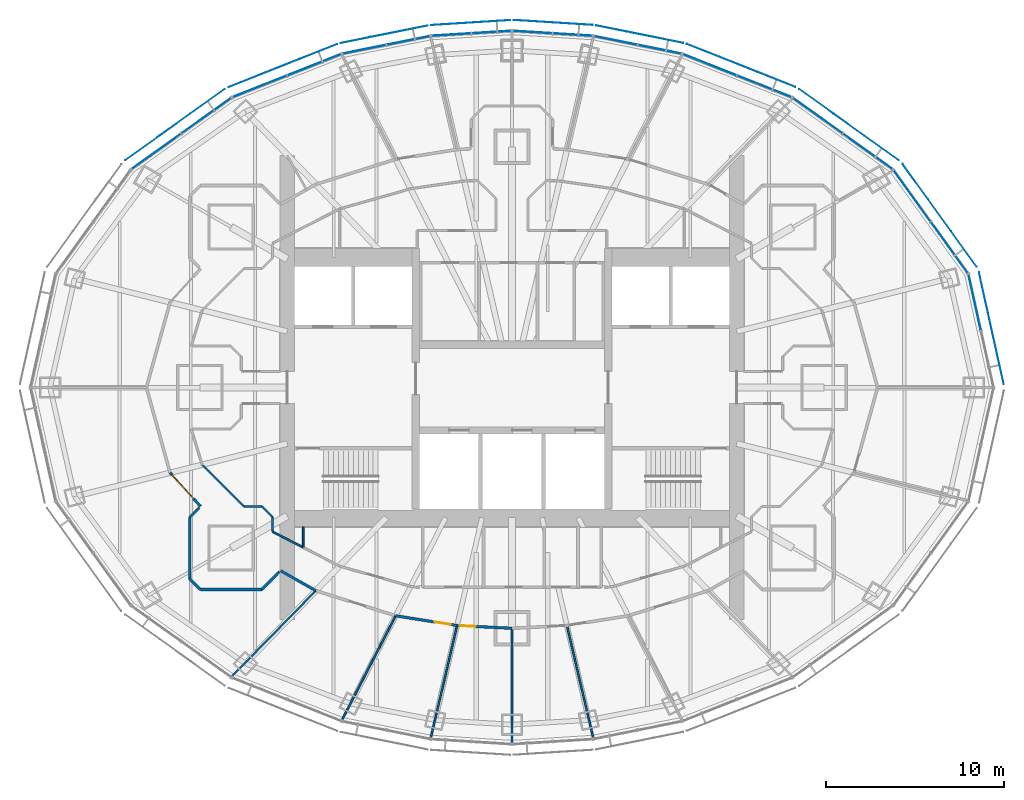
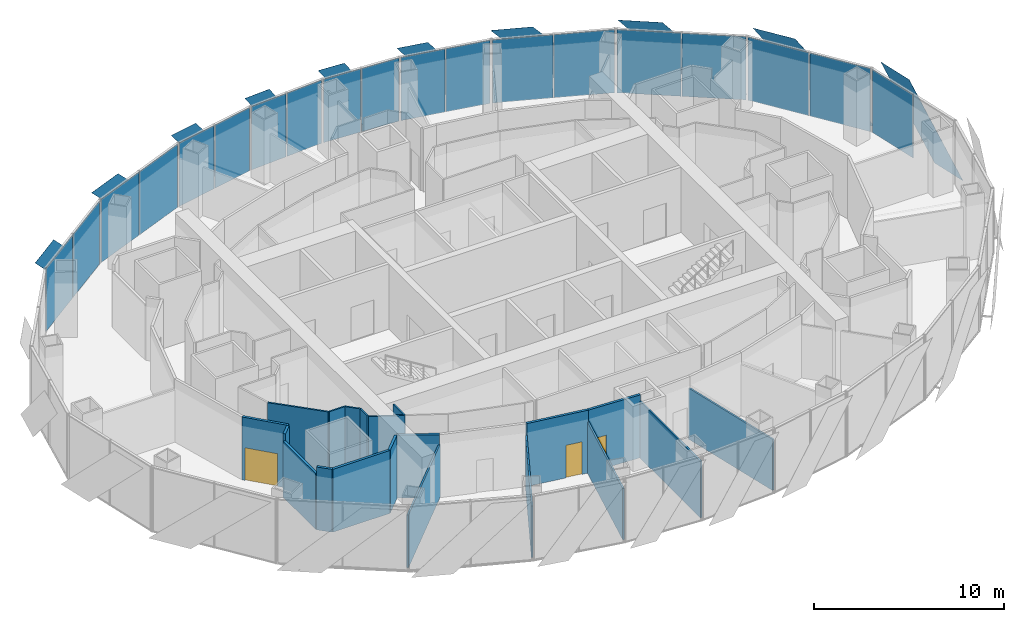
# One storey, part 11 of 18: 29 plates, 20 walls, 3 doors, 3 openings, 10 elements without a shape of their own.
"""IFC4 building model written with IfcOpenShell, lengths in metres."""

import ifcopenshell
import ifcopenshell.guid

model = None  # the IFC model being written
_history = None  # IfcOwnerHistory: only IFC2X3 demands one
_inside = {}  # id of a spatial element -> (the spatial element, [elements in it])
_under = {}  # id of a project, library or spatial element -> (it, [spatial elements below it])
_declared = {}  # id of a project -> (the project, [libraries it declares])
_typed = {}  # id of a type object -> (the type object, [elements of that type])
_made_of = {}  # id of a material, layer set ... -> (it, [elements and type objects made of it])


def new_model(schema):
    """Start an empty IFC model of exactly this schema.

    Asked for "IFC4X3", IfcOpenShell would pick the latest addendum, in which some entities
    have other attributes; the version numbers below select the first issue.
    IFC2X3 requires an IfcOwnerHistory on every rooted entity: one is made here for all.
    """
    global model, _history
    if schema == "IFC4X3":
        model = ifcopenshell.file(schema_version=(4, 3, 0, 0))
    else:
        model = ifcopenshell.file(schema=schema)
    _inside.clear()
    _under.clear()
    _declared.clear()
    _typed.clear()
    _made_of.clear()
    _history = None
    if model.schema == "IFC2X3":
        org = make("IfcOrganization", Name="unknown")
        user = make(
            "IfcPersonAndOrganization",
            ThePerson=make("IfcPerson", FamilyName="unknown"),
            TheOrganization=org,
        )
        app = make(
            "IfcApplication",
            ApplicationDeveloper=org,
            Version="unknown",
            ApplicationFullName="unknown",
            ApplicationIdentifier="unknown",
        )
        _history = make(
            "IfcOwnerHistory",
            OwningUser=user,
            OwningApplication=app,
            ChangeAction="ADDED",
            CreationDate=0,
        )
    return model


def make(cls, **values):
    """One entity of the class cls with the attributes given. An attribute that is None is left unset."""
    return model.create_entity(
        cls, **{name: value for name, value in values.items() if value is not None}
    )


def rooted(cls, **values):
    """An entity with a GlobalId (a new one), such as an element, a storey or a relation."""
    return make(cls, GlobalId=ifcopenshell.guid.new(), OwnerHistory=_history, **values)


def si_unit(unit_type, name, prefix=None):
    """IfcSIUnit, for example si_unit("LENGTHUNIT", "METRE", prefix="MILLI")."""
    return make("IfcSIUnit", UnitType=unit_type, Prefix=prefix, Name=name)


def assignment(units):
    """IfcUnitAssignment: the units of a project."""
    return None if units is None else make("IfcUnitAssignment", Units=units)


def point(xyz):
    """IfcCartesianPoint."""
    return None if xyz is None else make("IfcCartesianPoint", Coordinates=xyz)


def direction(xyz):
    """IfcDirection."""
    return None if xyz is None else make("IfcDirection", DirectionRatios=xyz)


def frame(location, z_axis=None, x_axis=None):
    """IfcAxis2Placement3D, a coordinate frame: its origin and axes. An axis left out is left unset."""
    return make(
        "IfcAxis2Placement3D",
        Location=point(location),
        Axis=direction(z_axis),
        RefDirection=direction(x_axis),
    )


def frame_2d(location, x_axis=None):
    """IfcAxis2Placement2D, a coordinate frame in the plane: its origin and x axis."""
    return make(
        "IfcAxis2Placement2D", Location=point(location), RefDirection=direction(x_axis)
    )


def origin():
    """The frame at (0, 0, 0) with its axes left unset."""
    return frame((0.0, 0.0, 0.0))


def origin_2d():
    """The frame at (0, 0) in the plane with its x axis left unset."""
    return frame_2d((0.0, 0.0))


def place(relative_to, where):
    """IfcLocalPlacement: puts the frame where relative to a parent placement (None: the world)."""
    return make(
        "IfcLocalPlacement", PlacementRelTo=relative_to, RelativePlacement=where
    )


def context(
    kind, dimensions, precision=None, world=None, true_north=None, identifier=None
):
    """IfcGeometricRepresentationContext, for example the 3D "Model" context."""
    return make(
        "IfcGeometricRepresentationContext",
        ContextIdentifier=identifier,
        ContextType=kind,
        CoordinateSpaceDimension=dimensions,
        Precision=precision,
        WorldCoordinateSystem=world,
        TrueNorth=true_north,
    )


def subcontext(parent, identifier, kind, view, scale=None):
    """IfcGeometricRepresentationSubContext, for example "Body" below "Model"."""
    return make(
        "IfcGeometricRepresentationSubContext",
        ContextIdentifier=identifier,
        ContextType=kind,
        ParentContext=parent,
        TargetScale=scale,
        TargetView=view,
    )


def project(units=None, contexts=None):
    """IfcProject with its units and contexts."""
    return rooted(
        "IfcProject",
        Name="project",
        RepresentationContexts=contexts,
        UnitsInContext=assignment(units),
    )


def spatial(cls, under=None, at=None, **own):
    """A site, building, storey or space (cls), placed at a placement, below another one or the project."""
    s = rooted(cls, ObjectPlacement=at, **own)
    if under is not None:
        _under.setdefault(under.id(), (under, []))[1].append(s)
    return s


def polyline(points):
    """IfcPolyline through the points."""
    return make("IfcPolyline", Points=[point(p) for p in points])


def profile(cls, at=None, kind="AREA", **sizes):
    """A parametric profile (cls). Its sizes go by their IFC names, for example OverallWidth=200.0."""
    return make(cls, ProfileType=kind, Position=at, **sizes)


def rectangle(**sizes):
    """IfcRectangleProfileDef."""
    return profile("IfcRectangleProfileDef", **sizes)


def outline(outer, holes=None, kind="AREA"):
    """IfcArbitraryClosedProfileDef: a profile drawn as a closed curve; with holes, ...WithVoids."""
    if holes is None:
        return make("IfcArbitraryClosedProfileDef", ProfileType=kind, OuterCurve=outer)
    return make(
        "IfcArbitraryProfileDefWithVoids",
        ProfileType=kind,
        OuterCurve=outer,
        InnerCurves=holes,
    )


def extrude(swept, where, along, depth):
    """IfcExtrudedAreaSolid: the profile swept, set in the frame where, extruded along a direction by depth."""
    return make(
        "IfcExtrudedAreaSolid",
        SweptArea=swept,
        Position=where,
        ExtrudedDirection=direction(along),
        Depth=depth,
    )


def shape(context_of_items, identifier, shape_type, items):
    """IfcShapeRepresentation: the items that make up one representation, for example the "Body"."""
    return make(
        "IfcShapeRepresentation",
        ContextOfItems=context_of_items,
        RepresentationIdentifier=identifier,
        RepresentationType=shape_type,
        Items=items,
    )


def material(Name=None, Category=None):
    """IfcMaterial."""
    return make("IfcMaterial", Name=Name, Category=Category)


def layer(
    of_material, thickness, ventilated=None, Name=None, Category=None, Priority=None
):
    """IfcMaterialLayer: one layer of a wall or slab, of a material (None: an air gap)."""
    return make(
        "IfcMaterialLayer",
        Material=of_material,
        LayerThickness=thickness,
        IsVentilated=ventilated,
        Name=Name,
        Category=Category,
        Priority=Priority,
    )


def layer_set(layers, Name=None):
    """IfcMaterialLayerSet."""
    return make("IfcMaterialLayerSet", MaterialLayers=layers, LayerSetName=Name)


def made_of(thing, what):
    """Note that an element or type object is made of a material, layer set ...; save() writes the relation."""
    if what is not None:
        _made_of.setdefault(what.id(), (what, []))[1].append(thing)
    return thing


def type_object(cls, material=None, **own):
    """A type object (cls), such as IfcWallType, which elements share."""
    return made_of(rooted(cls, **own), material)


def element(
    cls,
    number,
    at=None,
    inside=None,
    cuts=None,
    type_object=None,
    material=None,
    context=None,
    identifier="Body",
    shape_type=None,
    held_by="IfcProductDefinitionShape",
    body=None,
    shapes=None,
    **own,
):
    """One element of the class cls, such as IfcWall. Its Tag is "e" and its number.

    at: its placement. inside: the storey or other place that contains it. cuts: it is an
    opening in that element (IfcRelVoidsElement). A single representation is given by context,
    identifier, shape_type and body (its items); several are given by shapes. held_by: the class
    of the entity that holds the representations. save() writes the other relations.
    """
    e = rooted(cls, Tag="e%d" % number, ObjectPlacement=at, **own)
    if body is not None:
        shapes = [shape(context, identifier, shape_type, body)]
    if shapes is not None:
        e.Representation = make(held_by, Representations=shapes)
    if inside is not None:
        _inside.setdefault(inside.id(), (inside, []))[1].append(e)
    if cuts is not None:
        rooted(
            "IfcRelVoidsElement", RelatingBuildingElement=cuts, RelatedOpeningElement=e
        )
    if type_object is not None:
        _typed.setdefault(type_object.id(), (type_object, []))[1].append(e)
    return made_of(e, material)


def fill(opening, filler):
    """IfcRelFillsElement: the door or window that sits in an opening."""
    return rooted(
        "IfcRelFillsElement",
        RelatingOpeningElement=opening,
        RelatedBuildingElement=filler,
    )


def aggregate(whole, parts):
    """IfcRelAggregates: a whole, such as a stair, and the parts it consists of."""
    return rooted("IfcRelAggregates", RelatingObject=whole, RelatedObjects=parts)


def save(model, path):
    """Write the relations noted so far, then the file.

    IfcRelAggregates (storeys below a building ...), IfcRelContainedInSpatialStructure (elements
    in a storey), IfcRelDefinesByType, IfcRelAssociatesMaterial and IfcRelDeclares: one each for
    every whole, place, type object, material and project.
    """
    for whole, parts in _under.values():
        aggregate(whole, parts)
    for where, things in _inside.values():
        rooted(
            "IfcRelContainedInSpatialStructure",
            RelatedElements=things,
            RelatingStructure=where,
        )
    for kind, things in _typed.values():
        rooted("IfcRelDefinesByType", RelatedObjects=things, RelatingType=kind)
    for what, things in _made_of.values():
        rooted("IfcRelAssociatesMaterial", RelatedObjects=things, RelatingMaterial=what)
    for by, libraries in _declared.values():
        rooted("IfcRelDeclares", RelatingContext=by, RelatedDefinitions=libraries)
    model.write(path)


model = new_model("IFC4")

# Units and contexts
model_context = context("Model", 3, precision=1e-05, world=origin(), true_north=direction((0.0, 1.0)))
body_context = subcontext(model_context, "Body", "Model", "MODEL_VIEW")
ifc_project = project(units=[si_unit("LENGTHUNIT", "METRE"), si_unit("AREAUNIT", "SQUARE_METRE"), si_unit("VOLUMEUNIT", "CUBIC_METRE"), si_unit("PLANEANGLEUNIT", "RADIAN"), si_unit("MASSUNIT", "GRAM", prefix="KILO")], contexts=[model_context])

# Site, building, storey
site_placement = place(None, origin())
site = spatial("IfcSite", under=ifc_project, at=site_placement, CompositionType="ELEMENT")
building_placement = place(site_placement, origin())
building = spatial("IfcBuilding", under=site, at=building_placement, Name="Lantaw Convention Tower", CompositionType="ELEMENT")
storey_placement = place(building_placement, frame((0.0, 0.0, 236.800048828125)))
storey = spatial("IfcBuildingStorey", under=building, at=storey_placement, Name="L55", CompositionType="ELEMENT", Elevation=236.800048828125)

# Curtain wall, plate
ifc_material_1 = material(Name="Aluminium framed curtain wall", Category="aluminium")
curtain_wall_type = type_object("IfcCurtainWallType", Name="Office curtain wall high rise, pale aluminium", PredefinedType="USERDEFINED", material=ifc_material_1)
curtain_wall_1_placement = place(storey_placement, origin())
curtain_wall_1 = element("IfcCurtainWall", 1, at=curtain_wall_1_placement, inside=storey, type_object=curtain_wall_type, Name="Office curtain wall high rise, pale aluminium L55", ObjectType="UNITISED CURTAIN WALL", PredefinedType="USERDEFINED")
ifc_material_2 = material(Name="Clear insulating glass", Category="glass")
ifc_layer_1 = layer(ifc_material_2, 0.028076171875)
ifc_layer_set_1 = layer_set([ifc_layer_1], Name="CW-O2 panel 28")
plate_type_1 = type_object("IfcPlateType", Name="CW-O2 panel 28", PredefinedType="CURTAIN_PANEL", material=ifc_layer_set_1)
plate_1_placement = place(storey_placement, frame((25.945556640625, 4.769287109375, -0.0849609375), z_axis=(0.0, 0.0, 1.0), x_axis=(-0.215891333626, 0.976417396437, 0.0)))
plate_1 = element("IfcPlate", 2, at=plate_1_placement, type_object=plate_type_1, Name="CW-O2 panel 2.1", PredefinedType="CURTAIN_PANEL", context=body_context, shape_type="SweptSolid", body=[
    extrude(rectangle(XDim=3.169677734375, YDim=0.028076171875, at=origin_2d()), origin(), (0.0, 0.0, 1.0), 4.070068359375),
])
aggregate(curtain_wall_1, [plate_1])

# Curtain wall, plates
curtain_wall_2_placement = place(storey_placement, origin())
curtain_wall_2 = element("IfcCurtainWall", 3, at=curtain_wall_2_placement, inside=storey, type_object=curtain_wall_type, Name="Office curtain wall high rise, pale aluminium L55", ObjectType="UNITISED CURTAIN WALL", PredefinedType="USERDEFINED")
plate_2_placement = place(storey_placement, frame((24.527099609375, 7.852294921875, -0.0849609375), z_axis=(0.0, 0.0, 1.0), x_axis=(-0.585157643865, 0.810919559405, 0.0)))
plate_2 = element("IfcPlate", 4, at=plate_2_placement, type_object=plate_type_1, Name="CW-O2 panel 1.1", PredefinedType="CURTAIN_PANEL", context=body_context, shape_type="SweptSolid", body=[
    extrude(rectangle(XDim=3.500732421875, YDim=0.028076171875, at=origin_2d()), origin(), (0.0, 0.0, 1.0), 4.070068359375),
])
plate_3_placement = place(storey_placement, frame((22.4404296875, 10.743896484375, -0.0849609375), z_axis=(0.0, 0.0, 1.0), x_axis=(-0.585157643865, 0.810919559405, 0.0)))
plate_3 = element("IfcPlate", 5, at=plate_3_placement, type_object=plate_type_1, Name="CW-O2 panel 2.1", PredefinedType="CURTAIN_PANEL", context=body_context, shape_type="SweptSolid", body=[
    extrude(rectangle(XDim=3.500732421875, YDim=0.028076171875, at=origin_2d()), origin(), (0.0, 0.0, 1.0), 4.070068359375),
])
aggregate(curtain_wall_2, [plate_2, plate_3])

curtain_wall_3_placement = place(storey_placement, origin())
curtain_wall_3 = element("IfcCurtainWall", 6, at=curtain_wall_3_placement, inside=storey, type_object=curtain_wall_type, Name="Office curtain wall high rise, pale aluminium L55", ObjectType="UNITISED CURTAIN WALL", PredefinedType="USERDEFINED")
plate_4_placement = place(storey_placement, frame((19.947509765625, 13.23828125, -0.0849609375), z_axis=(0.0, 0.0, 1.0), x_axis=(-0.813672540482, 0.581323487281, 0.0)))
plate_4 = element("IfcPlate", 7, at=plate_4_placement, type_object=plate_type_1, Name="CW-O2 panel 1.1", PredefinedType="CURTAIN_PANEL", context=body_context, shape_type="SweptSolid", body=[
    extrude(rectangle(XDim=3.386474609375, YDim=0.028076171875, at=origin_2d()), origin(), (0.0, 0.0, 1.0), 4.070068359375),
])
plate_5_placement = place(storey_placement, frame((17.13916015625, 15.24462890625, -0.0849609375), z_axis=(0.0, 0.0, 1.0), x_axis=(-0.813672540482, 0.581323487281, 0.0)))
plate_5 = element("IfcPlate", 8, at=plate_5_placement, type_object=plate_type_1, Name="CW-O2 panel 2.1", PredefinedType="CURTAIN_PANEL", context=body_context, shape_type="SweptSolid", body=[
    extrude(rectangle(XDim=3.386474609375, YDim=0.028076171875, at=origin_2d()), origin(), (0.0, 0.0, 1.0), 4.070068359375),
])
aggregate(curtain_wall_3, [plate_4, plate_5])

curtain_wall_4_placement = place(storey_placement, origin())
curtain_wall_4 = element("IfcCurtainWall", 9, at=curtain_wall_4_placement, inside=storey, type_object=curtain_wall_type, Name="Office curtain wall high rise, pale aluminium L55", ObjectType="UNITISED CURTAIN WALL", PredefinedType="USERDEFINED")
plate_6_placement = place(storey_placement, frame((14.14990234375, 16.8837890625, -0.0849609375), z_axis=(0.0, 0.0, 1.0), x_axis=(-0.929761533743, 0.368162315252, 0.0)))
plate_6 = element("IfcPlate", 10, at=plate_6_placement, type_object=plate_type_1, Name="CW-O2 panel 1.1", PredefinedType="CURTAIN_PANEL", context=body_context, shape_type="SweptSolid", body=[
    extrude(rectangle(XDim=3.222900390625, YDim=0.028076171875, at=origin_2d()), origin(), (0.0, 0.0, 1.0), 4.070068359375),
])
plate_7_placement = place(storey_placement, frame((11.0927734375, 18.094482421875, -0.0849609375), z_axis=(0.0, 0.0, 1.0), x_axis=(-0.929761533743, 0.368162315252, 0.0)))
plate_7 = element("IfcPlate", 11, at=plate_7_placement, type_object=plate_type_1, Name="CW-O2 panel 2.1", PredefinedType="CURTAIN_PANEL", context=body_context, shape_type="SweptSolid", body=[
    extrude(rectangle(XDim=3.222900390625, YDim=0.028076171875, at=origin_2d()), origin(), (0.0, 0.0, 1.0), 4.070068359375),
])
aggregate(curtain_wall_4, [plate_6, plate_7])

curtain_wall_5_placement = place(storey_placement, origin())
curtain_wall_5 = element("IfcCurtainWall", 12, at=curtain_wall_5_placement, inside=storey, type_object=curtain_wall_type, Name="Office curtain wall high rise, pale aluminium L55", ObjectType="UNITISED CURTAIN WALL", PredefinedType="USERDEFINED")
plate_8_placement = place(storey_placement, frame((8.2724609375, 18.96533203125, -0.0849609375), z_axis=(0.0, 0.0, 1.0), x_axis=(-0.980366679695, 0.197183095987, 0.0)))
plate_8 = element("IfcPlate", 13, at=plate_8_placement, type_object=plate_type_1, Name="CW-O2 panel 1.1", PredefinedType="CURTAIN_PANEL", context=body_context, shape_type="SweptSolid", body=[
    extrude(rectangle(XDim=2.44384765625, YDim=0.028076171875, at=origin_2d()), origin(), (0.0, 0.0, 1.0), 4.070068359375),
])
plate_9_placement = place(storey_placement, frame((5.81298828125, 19.4599609375, -0.0849609375), z_axis=(0.0, 0.0, 1.0), x_axis=(-0.980366679695, 0.197183095987, 0.0)))
plate_9 = element("IfcPlate", 14, at=plate_9_placement, type_object=plate_type_1, Name="CW-O2 panel 2.1", PredefinedType="CURTAIN_PANEL", context=body_context, shape_type="SweptSolid", body=[
    extrude(rectangle(XDim=2.44384765625, YDim=0.028076171875, at=origin_2d()), origin(), (0.0, 0.0, 1.0), 4.070068359375),
])
aggregate(curtain_wall_5, [plate_8, plate_9])

curtain_wall_6_placement = place(storey_placement, origin())
curtain_wall_6 = element("IfcCurtainWall", 15, at=curtain_wall_6_placement, inside=storey, type_object=curtain_wall_type, Name="Office curtain wall high rise, pale aluminium L55", ObjectType="UNITISED CURTAIN WALL", PredefinedType="USERDEFINED")
plate_10_placement = place(storey_placement, frame((3.397216796875, 19.786376953125, -0.0849609375), z_axis=(0.0, 0.0, 1.0), x_axis=(-0.998028774865, 0.062757983884, 0.0)))
plate_10 = element("IfcPlate", 16, at=plate_10_placement, type_object=plate_type_1, Name="CW-O2 panel 1.1", PredefinedType="CURTAIN_PANEL", context=body_context, shape_type="SweptSolid", body=[
    extrude(rectangle(XDim=2.1826171875, YDim=0.028076171875, at=origin_2d()), origin(), (0.0, 0.0, 1.0), 4.070068359375),
])
plate_11_placement = place(storey_placement, frame((1.154052734375, 19.927490234375, -0.0849609375), z_axis=(0.0, 0.0, 1.0), x_axis=(-0.998028774865, 0.062757983884, 0.0)))
plate_11 = element("IfcPlate", 17, at=plate_11_placement, type_object=plate_type_1, Name="CW-O2 panel 2.1", PredefinedType="CURTAIN_PANEL", context=body_context, shape_type="SweptSolid", body=[
    extrude(rectangle(XDim=2.1826171875, YDim=0.028076171875, at=origin_2d()), origin(), (0.0, 0.0, 1.0), 4.070068359375),
])
aggregate(curtain_wall_6, [plate_10, plate_11])

curtain_wall_7_placement = place(storey_placement, origin())
curtain_wall_7 = element("IfcCurtainWall", 18, at=curtain_wall_7_placement, inside=storey, type_object=curtain_wall_type, Name="Office curtain wall high rise, pale aluminium L55", ObjectType="UNITISED CURTAIN WALL", PredefinedType="USERDEFINED")
plate_12_placement = place(storey_placement, frame((-1.154052734375, 19.927490234375, -0.0849609375), z_axis=(0.0, 0.0, 1.0), x_axis=(-0.998028774865, -0.062757983884, 0.0)))
plate_12 = element("IfcPlate", 19, at=plate_12_placement, type_object=plate_type_1, Name="CW-O2 panel 1.1", PredefinedType="CURTAIN_PANEL", context=body_context, shape_type="SweptSolid", body=[
    extrude(rectangle(XDim=2.1826171875, YDim=0.028076171875, at=origin_2d()), origin(), (0.0, 0.0, 1.0), 4.070068359375),
])
plate_13_placement = place(storey_placement, frame((-3.397216796875, 19.786376953125, -0.0849609375), z_axis=(0.0, 0.0, 1.0), x_axis=(-0.998028774865, -0.062757983884, 0.0)))
plate_13 = element("IfcPlate", 20, at=plate_13_placement, type_object=plate_type_1, Name="CW-O2 panel 2.1", PredefinedType="CURTAIN_PANEL", context=body_context, shape_type="SweptSolid", body=[
    extrude(rectangle(XDim=2.1826171875, YDim=0.028076171875, at=origin_2d()), origin(), (0.0, 0.0, 1.0), 4.070068359375),
])
aggregate(curtain_wall_7, [plate_12, plate_13])

curtain_wall_8_placement = place(storey_placement, origin())
curtain_wall_8 = element("IfcCurtainWall", 21, at=curtain_wall_8_placement, inside=storey, type_object=curtain_wall_type, Name="Office curtain wall high rise, pale aluminium L55", ObjectType="UNITISED CURTAIN WALL", PredefinedType="USERDEFINED")
plate_14_placement = place(storey_placement, frame((-5.81298828125, 19.4599609375, -0.0849609375), z_axis=(0.0, 0.0, 1.0), x_axis=(-0.980366679695, -0.197183095987, 0.0)))
plate_14 = element("IfcPlate", 22, at=plate_14_placement, type_object=plate_type_1, Name="CW-O2 panel 1.1", PredefinedType="CURTAIN_PANEL", context=body_context, shape_type="SweptSolid", body=[
    extrude(rectangle(XDim=2.44384765625, YDim=0.028076171875, at=origin_2d()), origin(), (0.0, 0.0, 1.0), 4.070068359375),
])
plate_15_placement = place(storey_placement, frame((-8.2724609375, 18.96533203125, -0.0849609375), z_axis=(0.0, 0.0, 1.0), x_axis=(-0.980366679695, -0.197183095987, 0.0)))
plate_15 = element("IfcPlate", 23, at=plate_15_placement, type_object=plate_type_1, Name="CW-O2 panel 2.1", PredefinedType="CURTAIN_PANEL", context=body_context, shape_type="SweptSolid", body=[
    extrude(rectangle(XDim=2.44384765625, YDim=0.028076171875, at=origin_2d()), origin(), (0.0, 0.0, 1.0), 4.070068359375),
])
aggregate(curtain_wall_8, [plate_14, plate_15])

curtain_wall_9_placement = place(storey_placement, origin())
curtain_wall_9 = element("IfcCurtainWall", 24, at=curtain_wall_9_placement, inside=storey, type_object=curtain_wall_type, Name="Office curtain wall high rise, pale aluminium L55", ObjectType="UNITISED CURTAIN WALL", PredefinedType="USERDEFINED")
plate_16_placement = place(storey_placement, frame((-11.0927734375, 18.094482421875, -0.0849609375), z_axis=(0.0, 0.0, 1.0), x_axis=(-0.929761533743, -0.368162315252, 0.0)))
plate_16 = element("IfcPlate", 25, at=plate_16_placement, type_object=plate_type_1, Name="CW-O2 panel 1.1", PredefinedType="CURTAIN_PANEL", context=body_context, shape_type="SweptSolid", body=[
    extrude(rectangle(XDim=3.222900390625, YDim=0.028076171875, at=origin_2d()), origin(), (0.0, 0.0, 1.0), 4.070068359375),
])
plate_17_placement = place(storey_placement, frame((-14.14990234375, 16.8837890625, -0.0849609375), z_axis=(0.0, 0.0, 1.0), x_axis=(-0.929761533743, -0.368162315252, 0.0)))
plate_17 = element("IfcPlate", 26, at=plate_17_placement, type_object=plate_type_1, Name="CW-O2 panel 2.1", PredefinedType="CURTAIN_PANEL", context=body_context, shape_type="SweptSolid", body=[
    extrude(rectangle(XDim=3.222900390625, YDim=0.028076171875, at=origin_2d()), origin(), (0.0, 0.0, 1.0), 4.070068359375),
])
aggregate(curtain_wall_9, [plate_16, plate_17])

curtain_wall_10_placement = place(storey_placement, origin())
curtain_wall_10 = element("IfcCurtainWall", 27, at=curtain_wall_10_placement, inside=storey, type_object=curtain_wall_type, Name="Office curtain wall high rise, pale aluminium L55", ObjectType="UNITISED CURTAIN WALL", PredefinedType="USERDEFINED")
plate_18_placement = place(storey_placement, frame((-17.13916015625, 15.24462890625, -0.0849609375), z_axis=(0.0, 0.0, 1.0), x_axis=(-0.813672540482, -0.581323487281, 0.0)))
plate_18 = element("IfcPlate", 28, at=plate_18_placement, type_object=plate_type_1, Name="CW-O2 panel 1.1", PredefinedType="CURTAIN_PANEL", context=body_context, shape_type="SweptSolid", body=[
    extrude(rectangle(XDim=3.386474609375, YDim=0.028076171875, at=origin_2d()), origin(), (0.0, 0.0, 1.0), 4.070068359375),
])
plate_19_placement = place(storey_placement, frame((-19.947509765625, 13.23828125, -0.0849609375), z_axis=(0.0, 0.0, 1.0), x_axis=(-0.813672540482, -0.581323487281, 0.0)))
plate_19 = element("IfcPlate", 29, at=plate_19_placement, type_object=plate_type_1, Name="CW-O2 panel 2.1", PredefinedType="CURTAIN_PANEL", context=body_context, shape_type="SweptSolid", body=[
    extrude(rectangle(XDim=3.386474609375, YDim=0.028076171875, at=origin_2d()), origin(), (0.0, 0.0, 1.0), 4.070068359375),
])
aggregate(curtain_wall_10, [plate_18, plate_19])

# Plates
ifc_material_3 = material(Name="Perforated aluminium sheet, pale silver finish", Category="aluminium")
ifc_layer_2 = layer(ifc_material_3, 0.006103515625)
ifc_layer_set_2 = layer_set([ifc_layer_2], Name="Perforated aluminium solar SCREEN panel")
plate_type_2 = type_object("IfcPlateType", Name="Perforated aluminium solar SCREEN panel", PredefinedType="SHEET", material=ifc_layer_set_2)
plate_20_placement = place(storey_placement, frame((27.580810546875, 0.1796875, -0.175048828125), z_axis=(0.976429511424, 0.215836529031, 4.4219438e-05), x_axis=(-0.215836529242, 0.976429512379, 0.0)))
element("IfcPlate", 30, at=plate_20_placement, inside=storey, type_object=plate_type_2, Name="Solar SCREEN panel", PredefinedType="SHEET", context=body_context, shape_type="SweptSolid", body=[
    extrude(outline(polyline([(0.0, 0.0), (2.2215525295212517, -3.3881317890172014e-21), (6.4341686174090675, 4.340087894868215), (4.212616087887817, 4.340087894868215), (0.0, 0.0)])), origin(), (0.0, 0.0, -1.0), 0.006103515625),
])
plate_21_placement = place(storey_placement, frame((26.051513671875, 6.775390625, -0.175048828125), z_axis=(-0.810892289695, -0.585195432394, 2.0458414e-05), x_axis=(-0.585195432516, 0.810892289865, 0.0)))
element("IfcPlate", 31, at=plate_21_placement, inside=storey, type_object=plate_type_2, Name="Solar SCREEN panel", PredefinedType="SHEET", context=body_context, shape_type="SweptSolid", body=[
    extrude(outline(polyline([(0.0, 0.0), (2.446848840683286, 6.776263578034403e-21), (7.09661046667572, -4.340087891533265), (4.649761625992435, -4.340087891533265), (0.0, 0.0)])), origin(), (0.0, 0.0, -1.0), 0.006103515625),
])
plate_22_placement = place(storey_placement, frame((21.689697265625, 12.73828125, -0.175048828125), z_axis=(0.581330799771, 0.813667316006, 1.0072414e-05), x_axis=(-0.813667316047, 0.5813307998, 3.02e-10)))
element("IfcPlate", 32, at=plate_22_placement, inside=storey, type_object=plate_type_2, Name="Solar SCREEN panel", PredefinedType="SHEET", context=body_context, shape_type="SweptSolid", body=[
    extrude(outline(polyline([(0.0, 0.0), (2.3691416428668504, 0.0), (6.867806096558412, 4.34008788877314), (4.498863102938644, 4.340087890202622), (0.0, 0.0)])), origin(), (0.0, 0.0, -1.0), 0.006103515625),
])
plate_23_placement = place(storey_placement, frame((15.88525390625, 16.8486328125, -0.175048828125), z_axis=(-0.368116612072, -0.929779629081, 3.5533269e-05), x_axis=(-0.929779629668, 0.368116612304, -1.786e-09)))
element("IfcPlate", 33, at=plate_23_placement, inside=storey, type_object=plate_type_2, Name="Solar SCREEN panel", PredefinedType="SHEET", context=body_context, shape_type="SweptSolid", body=[
    extrude(outline(polyline([(0.0, 0.0), (2.2578720663572183, -3.3881317890172014e-21), (6.540904465438181, -4.340087905048178), (4.282942526861161, -4.340087896982072), (0.0, 0.0)])), origin(), (0.0, 0.0, -1.0), 0.006103515625),
])
plate_24_placement = place(storey_placement, frame((9.6044921875, 19.315673828125, -0.175048828125), z_axis=(-0.197162069853, -0.980370908428, 1.0904083e-05), x_axis=(-0.980370908486, 0.197162069865, -7.55e-10)))
element("IfcPlate", 34, at=plate_24_placement, inside=storey, type_object=plate_type_2, Name="Solar SCREEN panel", PredefinedType="SHEET", context=body_context, shape_type="SweptSolid", body=[
    extrude(outline(polyline([(0.0, 0.0), (1.7279870169553606, 8.470329472543003e-22), (4.982578440602753, -4.340087894645749), (3.2545432883764285, -4.340087892035838), (0.0, 0.0)])), origin(), (0.0, 0.0, -1.0), 0.006103515625),
])
plate_25_placement = place(storey_placement, frame((4.539306640625, 20.32177734375, -0.175048828125), z_axis=(-0.062672387577, -0.998034151922, 5.858668e-05), x_axis=(-0.998034153635, 0.062672387685, 0.0)))
element("IfcPlate", 35, at=plate_25_placement, inside=storey, type_object=plate_type_2, Name="Solar SCREEN panel", PredefinedType="SHEET", context=body_context, shape_type="SweptSolid", body=[
    extrude(outline(polyline([(0.0, 0.0), (1.5504111513762302, 8.470329472543003e-22), (4.460200019412434, -4.340087898073457), (2.9097888680362036, -4.340087898073457), (0.0, 0.0)])), origin(), (0.0, 0.0, -1.0), 0.006103515625),
])
plate_26_placement = place(storey_placement, frame((-0.087890625, 20.6015625, -0.175048828125), z_axis=(-0.062672387577, 0.998034151922, 5.858668e-05), x_axis=(-0.998034153635, -0.062672387685, 0.0)))
element("IfcPlate", 36, at=plate_26_placement, inside=storey, type_object=plate_type_2, Name="Solar SCREEN panel", PredefinedType="SHEET", context=body_context, shape_type="SweptSolid", body=[
    extrude(outline(polyline([(0.0, 0.0), (1.5504111513762302, -8.470329472543003e-22), (4.460200019412434, 4.340087898073457), (2.9097888680362036, 4.340087898073457), (0.0, 0.0)])), origin(), (0.0, 0.0, -1.0), 0.006103515625),
])
plate_27_placement = place(storey_placement, frame((-4.7197265625, 20.298095703125, -0.175048828125), z_axis=(-0.197162069853, 0.980370908428, 1.0904083e-05), x_axis=(-0.980370908486, -0.197162069865, 7.55e-10)))
element("IfcPlate", 37, at=plate_27_placement, inside=storey, type_object=plate_type_2, Name="Solar SCREEN panel", PredefinedType="SHEET", context=body_context, shape_type="SweptSolid", body=[
    extrude(outline(polyline([(0.0, 0.0), (1.7280351522263238, 4.235164736271502e-22), (4.982578447157737, 4.34008788712039), (3.2545914302023755, 4.340087889730228), (0.0, 0.0)])), origin(), (0.0, 0.0, -1.0), 0.006103515625),
])
plate_28_placement = place(storey_placement, frame((-9.8037109375, 19.256591796875, -0.175048828125), z_axis=(-0.368116612072, 0.929779629081, 3.5533269e-05), x_axis=(-0.929779629668, -0.368116612304, 1.786e-09)))
element("IfcPlate", 38, at=plate_28_placement, inside=storey, type_object=plate_type_2, Name="Solar SCREEN panel", PredefinedType="SHEET", context=body_context, shape_type="SweptSolid", body=[
    extrude(outline(polyline([(0.0, 0.0), (2.257961938577019, 0.0), (6.540904480942253, 4.34008788168214), (4.283032414585035, 4.340087889747925), (0.0, 0.0)])), origin(), (0.0, 0.0, -1.0), 0.006103515625),
])
plate_29_placement = place(storey_placement, frame((-16.1015625, 16.730712890625, -0.175048828125), z_axis=(0.581330799771, -0.813667316006, 1.0072414e-05), x_axis=(-0.813667316047, -0.5813307998, -3.02e-10)))
element("IfcPlate", 39, at=plate_29_placement, inside=storey, type_object=plate_type_2, Name="Solar SCREEN panel", PredefinedType="SHEET", context=body_context, shape_type="SweptSolid", body=[
    extrude(outline(polyline([(0.0, 0.0), (2.3689429936197683, -1.6940658945086007e-21), (6.867806093939489, -4.340087892917353), (4.498664451072639, -4.340087891487751), (0.0, 0.0)])), origin(), (0.0, 0.0, -1.0), 0.006103515625),
])

# Wall, opening, door
ifc_material_4 = material(Name="Gypsum board on steel studs, fire rated", Category="steel")
ifc_layer_3 = layer(ifc_material_4, 0.14990234375)
ifc_layer_set_3 = layer_set([ifc_layer_3], Name="Corridor wall 150 EI 60")
wall_type_1 = type_object("IfcWallType", Name="Corridor wall 150 EI 60", PredefinedType="PARTITIONING", material=ifc_layer_set_3)
wall_1_placement = place(storey_placement, frame((-6.521240234375, -12.798828125, 0.0), z_axis=(0.0, 0.0, 1.0), x_axis=(0.987554093087, -0.157279729233, 0.0)))
wall_1 = element("IfcWall", 40, at=wall_1_placement, inside=storey, type_object=wall_type_1, Name="Corridor wall 150", PredefinedType="PARTITIONING", context=body_context, shape_type="SweptSolid", body=[
    extrude(rectangle(XDim=3.4833984375, YDim=0.14990234375, at=frame_2d((1.74169921875, 0.0))), origin(), (0.0, 0.0, 1.0), 4.050048828125),
])
opening_1_placement = place(wall_1_placement, frame((2.2255859375, 0.0, 0.0)))
opening_1 = element("IfcOpeningElement", 41, at=opening_1_placement, cuts=wall_1, Name="Opening L55.40", PredefinedType="OPENING", context=body_context, shape_type="SweptSolid", body=[
    extrude(rectangle(XDim=0.89990234375, YDim=2.10009765625, at=frame_2d((0.449951171875, 1.050048828125))), frame((0.0, 0.0849609375, 0.0), z_axis=(0.0, -1.0, 0.0), x_axis=(1.0, 0.0, 0.0)), (0.0, 0.0, 1.0), 0.169921875),
])
ifc_material_5 = material(Name="Steel, fire rated", Category="steel")
door_type_1 = type_object("IfcDoorType", Name="Office door 900 FD30", OperationType="SINGLE_SWING_LEFT", PredefinedType="DOOR", material=ifc_material_5)
door_1_placement = place(opening_1_placement, origin())
door_1 = element("IfcDoor", 42, at=door_1_placement, inside=storey, type_object=door_type_1, Name="Private office door", OperationType="SINGLE_SWING_LEFT", OverallHeight=2.10009765625, OverallWidth=0.89990234375, PredefinedType="DOOR", context=body_context, shape_type="SweptSolid", body=[
    extrude(rectangle(XDim=0.89990234375, YDim=2.10009765625, at=frame_2d((0.449951171875, 1.050048828125))), frame((0.0, 0.02490234375, 0.0), z_axis=(0.0, -1.0, 0.0), x_axis=(1.0, 0.0, 0.0)), (0.0, 0.0, 1.0), 0.050048828125),
])
fill(opening_1, door_1)

wall_2_placement = place(storey_placement, frame((-3.081298828125, -13.3466796875, 0.0), z_axis=(0.0, 0.0, 1.0), x_axis=(0.99876434787, -0.049696855278, 0.0)))
wall_2 = element("IfcWall", 43, at=wall_2_placement, inside=storey, type_object=wall_type_1, Name="Corridor wall 150", PredefinedType="PARTITIONING", context=body_context, shape_type="SweptSolid", body=[
    extrude(rectangle(XDim=3.085205078125, YDim=0.14990234375, at=frame_2d((1.54248046875, 0.0))), origin(), (0.0, 0.0, 1.0), 4.050048828125),
])
opening_2_placement = place(wall_2_placement, frame((0.14990234375, 0.0, 0.0)))
opening_2 = element("IfcOpeningElement", 44, at=opening_2_placement, cuts=wall_2, Name="Opening L55.41", PredefinedType="OPENING", context=body_context, shape_type="SweptSolid", body=[
    extrude(rectangle(XDim=0.89990234375, YDim=2.10009765625, at=frame_2d((0.449951171875, 1.050048828125))), frame((0.0, 0.0849609375, 0.0), z_axis=(0.0, -1.0, 0.0), x_axis=(1.0, 0.0, 0.0)), (0.0, 0.0, 1.0), 0.169921875),
])
door_2_placement = place(opening_2_placement, origin())
door_2 = element("IfcDoor", 45, at=door_2_placement, inside=storey, type_object=door_type_1, Name="Private office door", OperationType="SINGLE_SWING_LEFT", OverallHeight=2.10009765625, OverallWidth=0.89990234375, PredefinedType="DOOR", context=body_context, shape_type="SweptSolid", body=[
    extrude(rectangle(XDim=0.89990234375, YDim=2.10009765625, at=frame_2d((0.449951171875, 1.050048828125))), frame((0.0, 0.02490234375, 0.0), z_axis=(0.0, -1.0, 0.0), x_axis=(1.0, 0.0, 0.0)), (0.0, 0.0, 1.0), 0.050048828125),
])
fill(opening_2, door_2)

wall_3_placement = place(storey_placement, frame((-19.171875, -4.780029296875, 0.0), z_axis=(0.0, 0.0, 1.0), x_axis=(0.671721890643, -0.74080341632, 0.0)))
wall_3 = element("IfcWall", 46, at=wall_3_placement, inside=storey, type_object=wall_type_1, Name="Corridor wall 150", PredefinedType="PARTITIONING", context=body_context, shape_type="SweptSolid", body=[
    extrude(rectangle(XDim=2.54443359375, YDim=0.14990234375, at=frame_2d((1.272216796875, 0.0))), origin(), (0.0, 0.0, 1.0), 4.050048828125),
])
opening_3_placement = place(wall_3_placement, frame((0.14990234375, 0.0, 0.0)))
opening_3 = element("IfcOpeningElement", 47, at=opening_3_placement, cuts=wall_3, Name="Opening L55.38", PredefinedType="OPENING", context=body_context, shape_type="SweptSolid", body=[
    extrude(rectangle(XDim=1.800048828125, YDim=2.10009765625, at=frame_2d((0.89990234375, 1.050048828125))), frame((0.0, 0.0849609375, 0.0), z_axis=(0.0, -1.0, 0.0), x_axis=(1.0, 0.0, 0.0)), (0.0, 0.0, 1.0), 0.169921875),
])
door_type_2 = type_object("IfcDoorType", Name="Office double door 1800 FD30", OperationType="DOUBLE_DOOR_DOUBLE_SWING", PredefinedType="DOOR", material=ifc_material_5)
door_3_placement = place(opening_3_placement, origin())
door_3 = element("IfcDoor", 48, at=door_3_placement, inside=storey, type_object=door_type_2, Name="Boardroom door", OperationType="DOUBLE_DOOR_DOUBLE_SWING", OverallHeight=2.10009765625, OverallWidth=1.800048828125, PredefinedType="DOOR", context=body_context, shape_type="SweptSolid", body=[
    extrude(rectangle(XDim=1.800048828125, YDim=2.10009765625, at=frame_2d((0.89990234375, 1.050048828125))), frame((0.0, 0.02490234375, 0.0), z_axis=(0.0, -1.0, 0.0), x_axis=(1.0, 0.0, 0.0)), (0.0, 0.0, 1.0), 0.050048828125),
])
fill(opening_3, door_3)

# Walls
wall_4_placement = place(storey_placement, frame((-12.974609375, -10.271484375, 0.0), z_axis=(0.0, 0.0, 1.0), x_axis=(0.869722107117, -0.493541747366, 0.0)))
element("IfcWall", 49, at=wall_4_placement, inside=storey, type_object=wall_type_1, Name="Corridor wall 150", PredefinedType="PARTITIONING", context=body_context, shape_type="SweptSolid", body=[
    extrude(rectangle(XDim=2.26953125, YDim=0.14990234375, at=frame_2d((1.134765625, 0.0))), origin(), (0.0, 0.0, 1.0), 4.050048828125),
])
wall_5_placement = place(storey_placement, frame((-13.035888671875, -10.318603515625, 0.0), z_axis=(0.0, 0.0, 1.0), x_axis=(-0.701113567316, -0.713049623606, 0.0)))
element("IfcWall", 50, at=wall_5_placement, inside=storey, type_object=wall_type_1, Name="Corridor wall 150", PredefinedType="PARTITIONING", context=body_context, shape_type="SweptSolid", body=[
    extrude(rectangle(XDim=1.411376953125, YDim=0.14990234375, at=frame_2d((0.70556640625, 0.0))), origin(), (0.0, 0.0, 1.0), 4.050048828125),
])
wall_6_placement = place(storey_placement, frame((-14.025390625, -11.324951171875, 0.0), z_axis=(0.0, 0.0, 1.0), x_axis=(-1.0, 0.0, 0.0)))
element("IfcWall", 51, at=wall_6_placement, inside=storey, type_object=wall_type_1, Name="Corridor wall 150", PredefinedType="PARTITIONING", context=body_context, shape_type="SweptSolid", body=[
    extrude(rectangle(XDim=3.44921875, YDim=0.14990234375, at=frame_2d((1.724609375, 0.0))), origin(), (0.0, 0.0, 1.0), 4.050048828125),
])
wall_7_placement = place(storey_placement, frame((-17.474609375, -11.324951171875, 0.0), z_axis=(0.0, 0.0, 1.0), x_axis=(-0.707106781187, 0.707106781187, 0.0)))
element("IfcWall", 52, at=wall_7_placement, inside=storey, type_object=wall_type_1, Name="Corridor wall 150", PredefinedType="PARTITIONING", context=body_context, shape_type="SweptSolid", body=[
    extrude(rectangle(XDim=0.84912109375, YDim=0.14990234375, at=frame_2d((0.424560546875, 0.0))), origin(), (0.0, 0.0, 1.0), 4.050048828125),
])
wall_8_placement = place(storey_placement, frame((-18.074951171875, -10.724609375, 0.0), z_axis=(0.0, 0.0, 1.0), x_axis=(0.0, 1.0, 0.0)))
element("IfcWall", 53, at=wall_8_placement, inside=storey, type_object=wall_type_1, Name="Corridor wall 150", PredefinedType="PARTITIONING", context=body_context, shape_type="SweptSolid", body=[
    extrude(rectangle(XDim=3.44921875, YDim=0.14990234375, at=frame_2d((1.724609375, 0.0))), origin(), (0.0, 0.0, 1.0), 3.600341796875),
])
wall_9_placement = place(storey_placement, frame((-18.074951171875, -7.275390625, 0.0), z_axis=(0.0, 0.0, 1.0), x_axis=(0.707106781187, 0.707106781187, 0.0)))
element("IfcWall", 54, at=wall_9_placement, inside=storey, type_object=wall_type_1, Name="Corridor wall 150", PredefinedType="PARTITIONING", context=body_context, shape_type="SweptSolid", body=[
    extrude(rectangle(XDim=0.759521484375, YDim=0.14990234375, at=frame_2d((0.3798828125, 0.0))), origin(), (0.0, 0.0, 1.0), 4.050048828125),
])
ifc_material_6 = material(Name="Gypsum board on steel studs, acoustic", Category="steel")
ifc_layer_4 = layer(ifc_material_6, 0.10009765625)
ifc_layer_set_4 = layer_set([ifc_layer_4], Name="Office partition 100")
wall_type_2 = type_object("IfcWallType", Name="Office partition 100", PredefinedType="PARTITIONING", material=ifc_layer_set_4)
wall_10_placement = place(storey_placement, frame((-15.70947265625, -16.19873046875, 0.0), z_axis=(0.0, 0.0, 1.0), x_axis=(0.699758297028, 0.71437967898, 0.0)))
element("IfcWall", 55, at=wall_10_placement, inside=storey, type_object=wall_type_2, Name="Office partition 100", PredefinedType="PARTITIONING", context=body_context, shape_type="SweptSolid", body=[
    extrude(rectangle(XDim=6.72900390625, YDim=0.10009765625, at=frame_2d((3.364501953125, 0.0))), origin(), (0.0, 0.0, 1.0), 3.409912109375),
])
wall_11_placement = place(storey_placement, frame((-9.53955078125, -18.650390625, 0.0), z_axis=(0.0, 0.0, 1.0), x_axis=(0.458420942987, 0.888735190611, 0.0)))
element("IfcWall", 56, at=wall_11_placement, inside=storey, type_object=wall_type_2, Name="Office partition 100", PredefinedType="PARTITIONING", context=body_context, shape_type="SweptSolid", body=[
    extrude(rectangle(XDim=6.584228515625, YDim=0.10009765625, at=frame_2d((3.2919921875, 0.0))), origin(), (0.0, 0.0, 1.0), 3.29296875),
])
wall_12_placement = place(storey_placement, frame((-4.5556640625, -19.65673828125, 0.0), z_axis=(0.0, 0.0, 1.0), x_axis=(0.227524978141, 0.973772244584, 0.0)))
element("IfcWall", 57, at=wall_12_placement, inside=storey, type_object=wall_type_2, Name="Office partition 100", PredefinedType="PARTITIONING", context=body_context, shape_type="SweptSolid", body=[
    extrude(rectangle(XDim=6.47998046875, YDim=0.10009765625, at=frame_2d((3.239990234375, 0.0))), origin(), (0.0, 0.0, 1.0), 3.29296875),
])
wall_13_placement = place(storey_placement, frame((0.0, -19.94482421875, 0.0), z_axis=(0.0, 0.0, 1.0), x_axis=(0.0, 1.0, 0.0)))
element("IfcWall", 58, at=wall_13_placement, inside=storey, type_object=wall_type_2, Name="Office partition 100", PredefinedType="PARTITIONING", context=body_context, shape_type="SweptSolid", body=[
    extrude(rectangle(XDim=6.44482421875, YDim=0.10009765625, at=frame_2d((3.222412109375, 0.0))), origin(), (0.0, 0.0, 1.0), 3.64599609375),
])
wall_14_placement = place(storey_placement, frame((4.5556640625, -19.65673828125, 0.0), z_axis=(0.0, 0.0, 1.0), x_axis=(-0.227524978141, 0.973772244584, 0.0)))
element("IfcWall", 59, at=wall_14_placement, inside=storey, type_object=wall_type_2, Name="Office partition 100", PredefinedType="PARTITIONING", context=body_context, shape_type="SweptSolid", body=[
    extrude(rectangle(XDim=6.47998046875, YDim=0.10009765625, at=frame_2d((3.239990234375, 0.0))), origin(), (0.0, 0.0, 1.0), 3.29296875),
])
wall_15_placement = place(storey_placement, frame((-11.7099609375, -7.800048828125, 0.0), z_axis=(0.0, 0.0, 1.0), x_axis=(0.0, -1.0, 0.0)))
element("IfcWall", 60, at=wall_15_placement, inside=storey, type_object=wall_type_2, Name="Office partition 100", PredefinedType="PARTITIONING", context=body_context, shape_type="SweptSolid", body=[
    extrude(rectangle(XDim=1.1669921875, YDim=0.10009765625, at=frame_2d((0.58349609375, 0.0))), origin(), (0.0, 0.0, 1.0), 4.050048828125),
])
wall_16_placement = place(storey_placement, frame((-11.7099609375, -8.967041015625, 0.0), z_axis=(0.0, 0.0, 1.0), x_axis=(-0.889638356137, 0.456665736935, 0.0)))
element("IfcWall", 61, at=wall_16_placement, inside=storey, type_object=wall_type_2, Name="Office partition 100", PredefinedType="PARTITIONING", context=body_context, shape_type="SweptSolid", body=[
    extrude(rectangle(XDim=1.91650390625, YDim=0.10009765625, at=frame_2d((0.958251953125, 0.0))), origin(), (0.0, 0.0, 1.0), 4.050048828125),
])
wall_17_placement = place(storey_placement, frame((-15.03466796875, -6.6650390625, 0.0), z_axis=(0.0, 0.0, 1.0), x_axis=(-0.707587114823, 0.70662612104, 0.0)))
element("IfcWall", 62, at=wall_17_placement, inside=storey, type_object=wall_type_2, Name="Office partition 100", PredefinedType="PARTITIONING", context=body_context, shape_type="SweptSolid", body=[
    extrude(rectangle(XDim=3.302734375, YDim=0.10009765625, at=frame_2d((1.6513671875, 0.0))), origin(), (0.0, 0.0, 1.0), 4.050048828125),
])
wall_18_placement = place(storey_placement, frame((-15.002197265625, -6.675048828125, 0.0), z_axis=(0.0, 0.0, 1.0), x_axis=(1.0, 0.0, 0.0)))
element("IfcWall", 63, at=wall_18_placement, inside=storey, type_object=wall_type_2, Name="Office partition 100", PredefinedType="PARTITIONING", context=body_context, shape_type="SweptSolid", body=[
    extrude(rectangle(XDim=0.976806640625, YDim=0.10009765625, at=frame_2d((0.48828125, 0.0))), origin(), (0.0, 0.0, 1.0), 4.050048828125),
])
wall_19_placement = place(storey_placement, frame((-14.025390625, -6.675048828125, 0.0), z_axis=(0.0, 0.0, 1.0), x_axis=(0.707106781187, -0.707106781187, 0.0)))
element("IfcWall", 64, at=wall_19_placement, inside=storey, type_object=wall_type_2, Name="Office partition 100", PredefinedType="PARTITIONING", context=body_context, shape_type="SweptSolid", body=[
    extrude(rectangle(XDim=0.84912109375, YDim=0.10009765625, at=frame_2d((0.424560546875, 0.0))), origin(), (0.0, 0.0, 1.0), 4.050048828125),
])
wall_20_placement = place(storey_placement, frame((-13.425048828125, -7.275390625, 0.0), z_axis=(0.0, 0.0, 1.0), x_axis=(0.0, -1.0, 0.0)))
element("IfcWall", 65, at=wall_20_placement, inside=storey, type_object=wall_type_2, Name="Office partition 100", PredefinedType="PARTITIONING", context=body_context, shape_type="SweptSolid", body=[
    extrude(rectangle(XDim=0.770263671875, YDim=0.10009765625, at=frame_2d((0.38525390625, 0.0))), origin(), (0.0, 0.0, 1.0), 4.050048828125),
])

save(model, "model.ifc")
